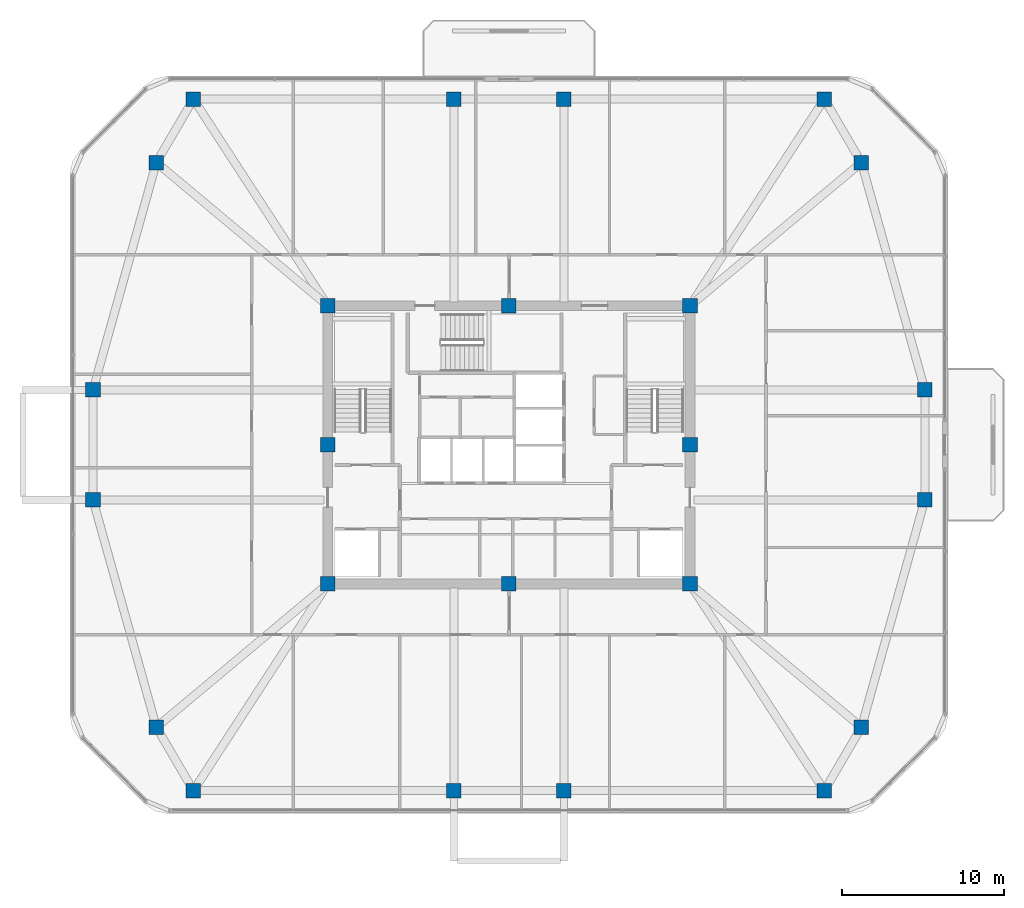
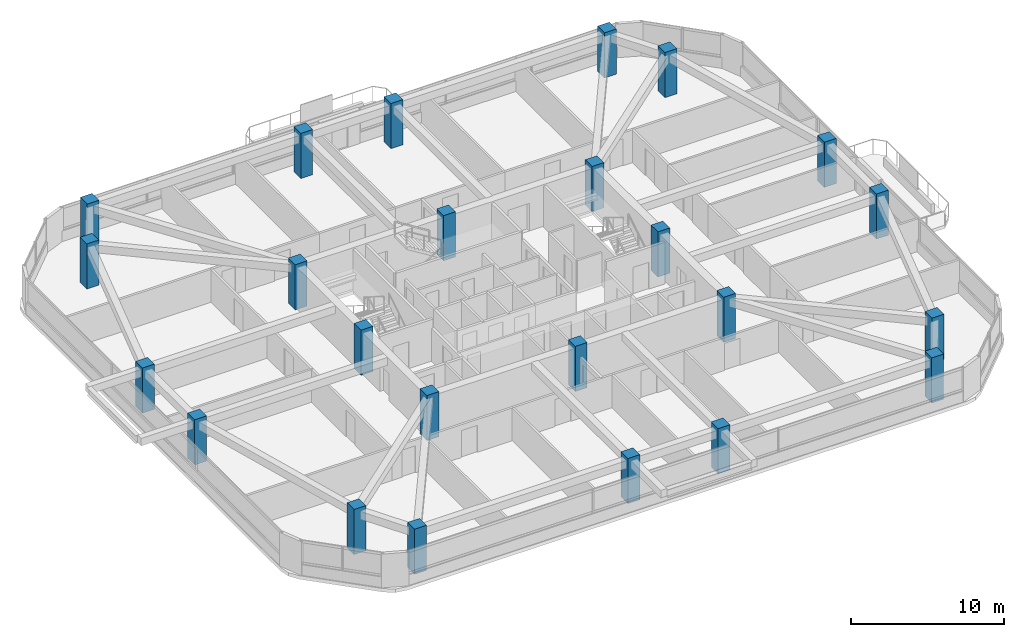
# One storey, part 1 of 14: 24 columns.
"""IFC4 building model written with IfcOpenShell, lengths in metres."""

from ifc_helpers import new_model, si_unit, derived_unit, direction, frame, origin, origin_2d, place, context, subcontext, project, spatial, rectangle, extrude, material, material_profile, profile_set, type_object, element, save


model = new_model("IFC4")

# Units and contexts
model_context = context("Model", 3, precision=1e-05, world=origin(), true_north=direction((0.0, 1.0)))
body_context = subcontext(model_context, "Body", "Model", "MODEL_VIEW")
ifc_project = project(units=[si_unit("LENGTHUNIT", "METRE"), si_unit("AREAUNIT", "SQUARE_METRE"), si_unit("VOLUMEUNIT", "CUBIC_METRE"), si_unit("PLANEANGLEUNIT", "RADIAN"), si_unit("MASSUNIT", "GRAM", prefix="KILO"), derived_unit("THERMALTRANSMITTANCEUNIT", [(si_unit("POWERUNIT", "WATT"), 1), (si_unit("LENGTHUNIT", "METRE"), -2), (si_unit("THERMODYNAMICTEMPERATUREUNIT", "KELVIN"), -1)])], contexts=[model_context])

# Site, building, storey
site_placement = place(None, origin())
site = spatial("IfcSite", under=ifc_project, at=site_placement, CompositionType="ELEMENT")
building_placement = place(site_placement, origin())
building = spatial("IfcBuilding", under=site, at=building_placement, Name="Koralith Skygarden Medical Center", CompositionType="ELEMENT")
storey_placement = place(building_placement, frame((0.0, 0.0, 225.179931640625)))
storey = spatial("IfcBuildingStorey", under=building, at=storey_placement, Name="L58", CompositionType="ELEMENT", Elevation=225.179931640625)

# Columns
ifc_material = material(Name="Concrete C55/67", Category="concrete")
ifc_material_profile_1 = material_profile(ifc_material, rectangle(XDim=0.89990234375, YDim=0.89990234375, at=origin_2d()), Name="RC900X900")
ifc_profile_set_1 = profile_set([ifc_material_profile_1], Name="Concrete C55/67")
column_type_1 = type_object("IfcColumnType", Name="Core Column C55 RC900", PredefinedType="COLUMN", material=ifc_profile_set_1)
for number, where, z_axis, x_axis, name in (
    (1, (25.800048828125, 17.300048828125, 0.0), (0.0, 0.0, 1.0), (1.0, 0.0, 0.0), "L58 Core Column CC-01"),
    (2, (37.0, 17.300048828125, 0.0), (0.0, 0.0, 1.0), (1.0, 0.0, 0.0), "L58 Core Column CC-02"),
    (3, (48.199951171875, 17.300048828125, 0.0), (0.0, 0.0, 1.0), (1.0, 0.0, 0.0), "L58 Core Column CC-03"),
    (4, (48.199951171875, 25.89990234375, 0.0), (0.0, 0.0, 1.0), (1.0, 0.0, 0.0), "L58 Core Column CC-04"),
    (5, (48.199951171875, 34.5, 0.0), (0.0, 0.0, 1.0), (1.0, 0.0, 0.0), "L58 Core Column CC-05"),
    (6, (37.0, 34.5, 0.0), (0.0, 0.0, 1.0), (1.0, 0.0, 0.0), "L58 Core Column CC-06"),
    (7, (25.800048828125, 34.5, 0.0), (0.0, 0.0, 1.0), (1.0, 0.0, 0.0), "L58 Core Column CC-07"),
    (8, (25.800048828125, 25.89990234375, 0.0), (0.0, 0.0, 1.0), (1.0, 0.0, 0.0), "L58 Core Column CC-08"),
):
    element("IfcColumn", number, at=place(storey_placement, frame(where, z_axis=z_axis, x_axis=x_axis)), inside=storey, type_object=column_type_1, Name=name, PredefinedType="COLUMN", context=body_context, shape_type="SweptSolid", body=[
        extrude(rectangle(XDim=0.89990234375, YDim=0.89990234375, at=origin_2d()), origin(), (0.0, 0.0, 1.0), 3.60009765625),
    ])
ifc_material_profile_2 = material_profile(ifc_material, rectangle(XDim=0.89990234375, YDim=0.89990234375, at=origin_2d()), Name="RC900X900")
ifc_profile_set_2 = profile_set([ifc_material_profile_2], Name="Concrete C55/67")
column_type_2 = type_object("IfcColumnType", Name="Zone 4 Flare Mega-Column C55 RC900", PredefinedType="COLUMN", material=ifc_profile_set_2)
for number, where, z_axis, x_axis, name in (
    (9, (11.278076171875, 22.5, 0.0), (0.0, 0.0, 1.0), (1.0, 0.0, 0.0), "L58 Perimeter Mega-Column MC-01"),
    (10, (15.197998046875, 8.43994140625, 0.0), (0.0, 0.0, 1.0), (1.0, 0.0, 0.0), "L58 Perimeter Mega-Column MC-02"),
    (11, (17.489990234375, 4.52001953125, 0.0), (0.0, 0.0, 1.0), (1.0, 0.0, 0.0), "L58 Perimeter Mega-Column MC-03"),
    (12, (33.60009765625, 4.52001953125, 0.0), (0.0, 0.0, 1.0), (1.0, 0.0, 0.0), "L58 Perimeter Mega-Column MC-04"),
    (13, (40.39990234375, 4.52001953125, 0.0), (0.0, 0.0, 1.0), (1.0, 0.0, 0.0), "L58 Perimeter Mega-Column MC-05"),
    (14, (56.510009765625, 4.52001953125, 0.0), (0.0, 0.0, 1.0), (1.0, 0.0, 0.0), "L58 Perimeter Mega-Column MC-06"),
    (15, (58.802001953125, 8.43994140625, 0.0), (0.0, 0.0, 1.0), (1.0, 0.0, 0.0), "L58 Perimeter Mega-Column MC-07"),
    (16, (62.721923828125, 22.5, 0.0), (0.0, 0.0, 1.0), (1.0, 0.0, 0.0), "L58 Perimeter Mega-Column MC-08"),
    (17, (62.721923828125, 29.300048828125, 0.0), (0.0, 0.0, 1.0), (1.0, 0.0, 0.0), "L58 Perimeter Mega-Column MC-09"),
    (18, (58.802001953125, 43.360107421875, 0.0), (0.0, 0.0, 1.0), (1.0, 0.0, 0.0), "L58 Perimeter Mega-Column MC-10"),
    (19, (56.510009765625, 47.280029296875, 0.0), (0.0, 0.0, 1.0), (1.0, 0.0, 0.0), "L58 Perimeter Mega-Column MC-11"),
    (20, (40.39990234375, 47.280029296875, 0.0), (0.0, 0.0, 1.0), (1.0, 0.0, 0.0), "L58 Perimeter Mega-Column MC-12"),
    (21, (33.60009765625, 47.280029296875, 0.0), (0.0, 0.0, 1.0), (1.0, 0.0, 0.0), "L58 Perimeter Mega-Column MC-13"),
    (22, (17.489990234375, 47.280029296875, 0.0), (0.0, 0.0, 1.0), (1.0, 0.0, 0.0), "L58 Perimeter Mega-Column MC-14"),
    (23, (15.197998046875, 43.360107421875, 0.0), (0.0, 0.0, 1.0), (1.0, 0.0, 0.0), "L58 Perimeter Mega-Column MC-15"),
    (24, (11.278076171875, 29.300048828125, 0.0), (0.0, 0.0, 1.0), (1.0, 0.0, 0.0), "L58 Perimeter Mega-Column MC-16"),
):
    element("IfcColumn", number, at=place(storey_placement, frame(where, z_axis=z_axis, x_axis=x_axis)), inside=storey, type_object=column_type_2, Name=name, PredefinedType="COLUMN", context=body_context, shape_type="SweptSolid", body=[
        extrude(rectangle(XDim=0.89990234375, YDim=0.89990234375, at=origin_2d()), origin(), (0.0, 0.0, 1.0), 3.60009765625),
    ])

save(model, "model.ifc")
